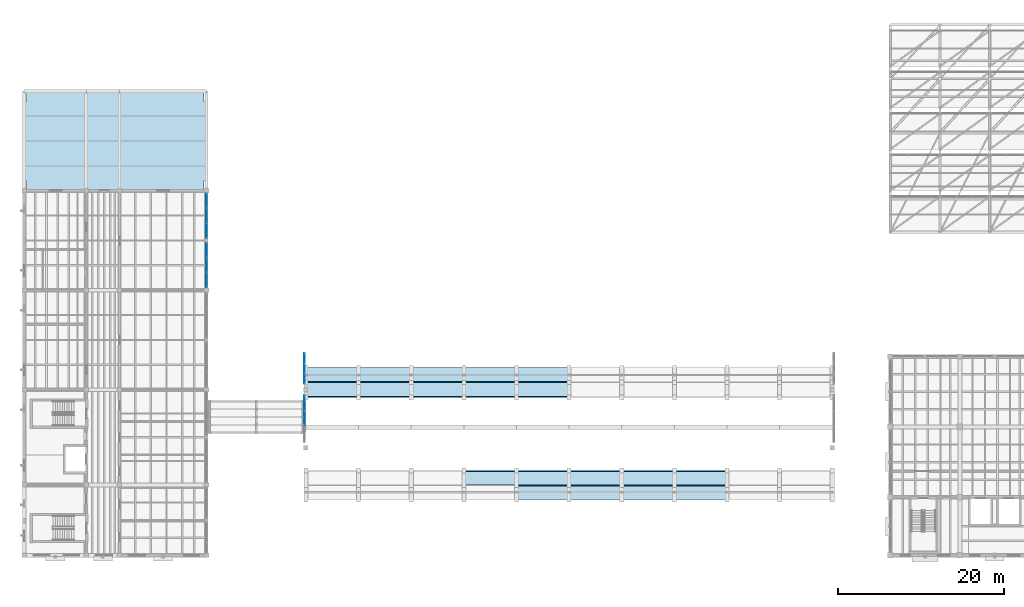
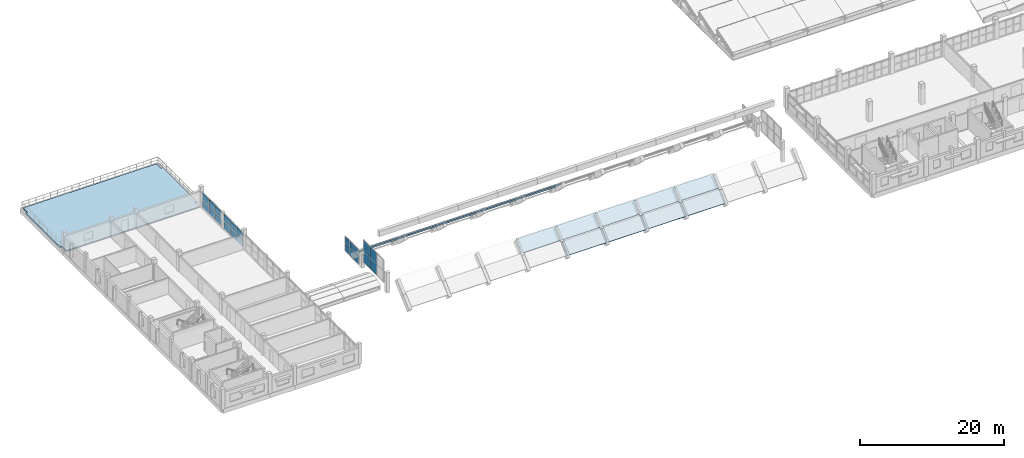
# One storey, part 24 of 48: 22 plates, 20 slabs, 4 elements without a shape of their own.
"""IFC4 building model written with IfcOpenShell, lengths in metres."""

from ifc_helpers import new_model, si_unit, direction, frame, origin, origin_2d, place, context, subcontext, project, spatial, polyline, rectangle, outline, extrude, material, layer, layer_set, type_object, element, aggregate, save


model = new_model("IFC4")

# Units and contexts
model_context = context("Model", 3, precision=1e-05, world=origin(), true_north=direction((0.0, 1.0)))
body_context = subcontext(model_context, "Body", "Model", "MODEL_VIEW")
ifc_project = project(units=[si_unit("LENGTHUNIT", "METRE"), si_unit("AREAUNIT", "SQUARE_METRE"), si_unit("VOLUMEUNIT", "CUBIC_METRE"), si_unit("PLANEANGLEUNIT", "RADIAN"), si_unit("MASSUNIT", "GRAM", prefix="KILO")], contexts=[model_context])

# Site, building, storey
site_placement = place(None, origin())
site = spatial("IfcSite", under=ifc_project, at=site_placement, CompositionType="ELEMENT")
building_placement = place(site_placement, origin())
building = spatial("IfcBuilding", under=site, at=building_placement, Name="Trellovar Central Fire Station", CompositionType="ELEMENT")
storey_placement = place(building_placement, frame((0.0, 0.0, 9.300048828125)))
storey = spatial("IfcBuildingStorey", under=building, at=storey_placement, Name="L03", CompositionType="ELEMENT", Elevation=9.300048828125)

# Curtain wall, plate
ifc_material_1 = material(Name="Thermally broken bronze anodized aluminum", Category="aluminium")
ifc_layer_1 = layer(ifc_material_1, 0.159912109375)
ifc_layer_set_1 = layer_set([ifc_layer_1], Name="Thermally broken bronze anodized aluminum")
curtain_wall_type_1 = type_object("IfcCurtainWallType", Name="CW-08", PredefinedType="NOTDEFINED", material=ifc_layer_set_1)
curtain_wall_1_placement = place(storey_placement, origin())
curtain_wall_1 = element("IfcCurtainWall", 1, at=curtain_wall_1_placement, inside=storey, type_object=curtain_wall_type_1, Name="V1 W ski-jump gable clerestory 3", PredefinedType="NOTDEFINED")
ifc_material_2 = material(Name="Double low-E solar control insulated glazing", Category="glass")
ifc_layer_2 = layer(ifc_material_2, 0.031982421875)
ifc_layer_set_2 = layer_set([ifc_layer_2], Name="Double low-E solar control insulated glazing")
plate_type_1 = type_object("IfcPlateType", Name="CWP-GL1", PredefinedType="CURTAIN_PANEL", material=ifc_layer_set_2)
plate_1_placement = place(storey_placement, frame((34.820068359375, 32.783203125, 1.4150390625), z_axis=(0.0, 0.0, 1.0), x_axis=(0.0, 1.0, 0.0)))
plate_1 = element("IfcPlate", 2, at=plate_1_placement, type_object=plate_type_1, Name="CW3-L03-0013 panel 3-2", PredefinedType="CURTAIN_PANEL", context=body_context, shape_type="SweptSolid", body=[
    extrude(rectangle(XDim=1.1533203125, YDim=0.031982421875, at=origin_2d()), origin(), (0.0, 0.0, 1.0), 1.195068359375),
])

ifc_material_3 = material(Name="Thermally broken bronze anodized aluminum", Category="aluminium")
ifc_layer_3 = layer(ifc_material_3, 0.159912109375)
ifc_layer_set_3 = layer_set([ifc_layer_3], Name="Thermally broken bronze anodized aluminum")
curtain_wall_type_2 = type_object("IfcCurtainWallType", Name="CW-02", PredefinedType="NOTDEFINED", material=ifc_layer_set_3)
curtain_wall_2_placement = place(storey_placement, origin())
curtain_wall_2 = element("IfcCurtainWall", 3, at=curtain_wall_2_placement, inside=storey, type_object=curtain_wall_type_2, Name="L03 curtain wall CW-2", PredefinedType="NOTDEFINED")
plate_2_placement = place(storey_placement, frame((23.0, 42.220947265625, 1.31494140625), z_axis=(0.0, 0.0, 1.0), x_axis=(0.0, 1.0, 0.0)))
plate_2 = element("IfcPlate", 4, at=plate_2_placement, type_object=plate_type_1, Name="CW3-L03-0051 panel 1-2", PredefinedType="CURTAIN_PANEL", context=body_context, shape_type="SweptSolid", body=[
    extrude(rectangle(XDim=1.711669921875, YDim=0.031982421875, at=origin_2d()), origin(), (0.0, 0.0, 1.0), 1.195068359375),
])

ifc_material_4 = material(Name="Thermally broken bronze anodized aluminum", Category="aluminium")
ifc_layer_4 = layer(ifc_material_4, 0.159912109375)
ifc_layer_set_4 = layer_set([ifc_layer_4], Name="Thermally broken bronze anodized aluminum")
curtain_wall_type_3 = type_object("IfcCurtainWallType", Name="CW-04", PredefinedType="NOTDEFINED", material=ifc_layer_set_4)
curtain_wall_3_placement = place(storey_placement, origin())
curtain_wall_3 = element("IfcCurtainWall", 5, at=curtain_wall_3_placement, inside=storey, type_object=curtain_wall_type_3, Name="V1 W ski-jump gable clerestory 2", PredefinedType="NOTDEFINED")
ifc_material_5 = material(Name="Double low-E solar control insulated glazing", Category="glass")
ifc_layer_5 = layer(ifc_material_5, 0.035888671875)
ifc_layer_set_5 = layer_set([ifc_layer_5], Name="Double low-E solar control insulated glazing")
plate_type_2 = type_object("IfcPlateType", Name="CWP-GL2", PredefinedType="CURTAIN_PANEL", material=ifc_layer_set_5)
plate_3_placement = place(storey_placement, frame((34.820068359375, 25.5, 1.33984375), z_axis=(0.0, 0.0, 1.0), x_axis=(0.0, 1.0, 0.0)))
plate_3 = element("IfcPlate", 6, at=plate_3_placement, type_object=plate_type_2, Name="CW3-L03-0012 panel 2-1", PredefinedType="CURTAIN_PANEL", context=body_context, shape_type="SweptSolid", body=[
    extrude(rectangle(XDim=1.78662109375, YDim=0.035888671875, at=origin_2d()), origin(), (0.0, 0.0, 1.0), 1.820068359375),
])

# Plate
plate_4_placement = place(storey_placement, frame((34.820068359375, 30.316650390625, 0.14013671875), z_axis=(0.0, 0.0, 1.0), x_axis=(0.0, 1.0, 0.0)))
plate_4 = element("IfcPlate", 7, at=plate_4_placement, type_object=plate_type_2, Name="CW3-L03-0013 panel 1-1", PredefinedType="CURTAIN_PANEL", context=body_context, shape_type="SweptSolid", body=[
    extrude(rectangle(XDim=1.1533203125, YDim=0.035888671875, at=origin_2d()), origin(), (0.0, 0.0, 1.0), 1.195068359375),
])

plate_5_placement = place(storey_placement, frame((23.0, 44.012451171875, 1.31494140625), z_axis=(0.0, 0.0, 1.0), x_axis=(0.0, 1.0, 0.0)))
plate_5 = element("IfcPlate", 8, at=plate_5_placement, type_object=plate_type_2, Name="CW3-L03-0051 panel 2-2", PredefinedType="CURTAIN_PANEL", context=body_context, shape_type="SweptSolid", body=[
    extrude(rectangle(XDim=1.711669921875, YDim=0.035888671875, at=origin_2d()), origin(), (0.0, 0.0, 1.0), 1.195068359375),
])

# Curtain wall, plate
curtain_wall_4_placement = place(storey_placement, origin())
curtain_wall_4 = element("IfcCurtainWall", 9, at=curtain_wall_4_placement, inside=storey, type_object=curtain_wall_type_2, Name="L03 curtain wall CW-2", PredefinedType="NOTDEFINED")
plate_6_placement = place(storey_placement, frame((23.0, 48.19580078125, 1.31494140625), z_axis=(0.0, 0.0, 1.0), x_axis=(0.0, 1.0, 0.0)))
plate_6 = element("IfcPlate", 10, at=plate_6_placement, type_object=plate_type_2, Name="CW3-L03-0052 panel 1-2", PredefinedType="CURTAIN_PANEL", context=body_context, shape_type="SweptSolid", body=[
    extrude(rectangle(XDim=1.711669921875, YDim=0.035888671875, at=origin_2d()), origin(), (0.0, 0.0, 1.0), 1.195068359375),
])

# Plate
ifc_material_6 = material(Name="Double low-E solar control insulated glazing", Category="glass")
ifc_layer_6 = layer(ifc_material_6, 0.033935546875)
ifc_layer_set_6 = layer_set([ifc_layer_6], Name="Double low-E solar control insulated glazing")
plate_type_3 = type_object("IfcPlateType", Name="CWP-GL3", PredefinedType="CURTAIN_PANEL", material=ifc_layer_set_6)
plate_7_placement = place(storey_placement, frame((34.820068359375, 25.5, 3.23974609375), z_axis=(0.0, 0.0, 1.0), x_axis=(0.0, 1.0, 0.0)))
plate_7 = element("IfcPlate", 11, at=plate_7_placement, type_object=plate_type_3, Name="CW3-L03-0012 panel 2-2", PredefinedType="CURTAIN_PANEL", context=body_context, shape_type="SweptSolid", body=[
    extrude(rectangle(XDim=1.78662109375, YDim=0.033935546875, at=origin_2d()), origin(), (0.0, 0.0, 1.0), 1.820068359375),
])

plate_8_placement = place(storey_placement, frame((34.820068359375, 27.36669921875, 1.33984375), z_axis=(0.0, 0.0, 1.0), x_axis=(0.0, 1.0, 0.0)))
plate_8 = element("IfcPlate", 12, at=plate_8_placement, type_object=plate_type_3, Name="CW3-L03-0012 panel 3-1", PredefinedType="CURTAIN_PANEL", context=body_context, shape_type="SweptSolid", body=[
    extrude(rectangle(XDim=1.78662109375, YDim=0.033935546875, at=origin_2d()), origin(), (0.0, 0.0, 1.0), 1.820068359375),
])

plate_9_placement = place(storey_placement, frame((34.820068359375, 30.316650390625, 1.4150390625), z_axis=(0.0, 0.0, 1.0), x_axis=(0.0, 1.0, 0.0)))
plate_9 = element("IfcPlate", 13, at=plate_9_placement, type_object=plate_type_3, Name="CW3-L03-0013 panel 1-2", PredefinedType="CURTAIN_PANEL", context=body_context, shape_type="SweptSolid", body=[
    extrude(rectangle(XDim=1.1533203125, YDim=0.033935546875, at=origin_2d()), origin(), (0.0, 0.0, 1.0), 1.195068359375),
])

plate_10_placement = place(storey_placement, frame((34.820068359375, 31.550048828125, 0.14013671875), z_axis=(0.0, 0.0, 1.0), x_axis=(0.0, 1.0, 0.0)))
plate_10 = element("IfcPlate", 14, at=plate_10_placement, type_object=plate_type_3, Name="CW3-L03-0013 panel 2-1", PredefinedType="CURTAIN_PANEL", context=body_context, shape_type="SweptSolid", body=[
    extrude(rectangle(XDim=1.1533203125, YDim=0.033935546875, at=origin_2d()), origin(), (0.0, 0.0, 1.0), 1.195068359375),
])

plate_11_placement = place(storey_placement, frame((23.0, 45.80419921875, 1.31494140625), z_axis=(0.0, 0.0, 1.0), x_axis=(0.0, 1.0, 0.0)))
plate_11 = element("IfcPlate", 15, at=plate_11_placement, type_object=plate_type_3, Name="CW3-L03-0051 panel 3-2", PredefinedType="CURTAIN_PANEL", context=body_context, shape_type="SweptSolid", body=[
    extrude(rectangle(XDim=1.711669921875, YDim=0.033935546875, at=origin_2d()), origin(), (0.0, 0.0, 1.0), 1.195068359375),
])

plate_12_placement = place(storey_placement, frame((23.0, 49.987548828125, 1.31494140625), z_axis=(0.0, 0.0, 1.0), x_axis=(0.0, 1.0, 0.0)))
plate_12 = element("IfcPlate", 16, at=plate_12_placement, type_object=plate_type_3, Name="CW3-L03-0052 panel 2-2", PredefinedType="CURTAIN_PANEL", context=body_context, shape_type="SweptSolid", body=[
    extrude(rectangle(XDim=1.711669921875, YDim=0.033935546875, at=origin_2d()), origin(), (0.0, 0.0, 1.0), 1.195068359375),
])

ifc_material_7 = material(Name="Double low-E solar control insulated glazing", Category="glass")
ifc_layer_7 = layer(ifc_material_7, 0.030029296875)
ifc_layer_set_7 = layer_set([ifc_layer_7], Name="Double low-E solar control insulated glazing")
plate_type_4 = type_object("IfcPlateType", Name="CWP-GL4", PredefinedType="CURTAIN_PANEL", material=ifc_layer_set_7)
plate_13_placement = place(storey_placement, frame((34.820068359375, 27.36669921875, 3.23974609375), z_axis=(0.0, 0.0, 1.0), x_axis=(0.0, 1.0, 0.0)))
plate_13 = element("IfcPlate", 17, at=plate_13_placement, type_object=plate_type_4, Name="CW3-L03-0012 panel 3-2", PredefinedType="CURTAIN_PANEL", context=body_context, shape_type="SweptSolid", body=[
    extrude(rectangle(XDim=1.78662109375, YDim=0.030029296875, at=origin_2d()), origin(), (0.0, 0.0, 1.0), 1.820068359375),
])

aggregate(curtain_wall_3, [plate_3, plate_7, plate_8, plate_13])

plate_14_placement = place(storey_placement, frame((34.820068359375, 31.550048828125, 1.4150390625), z_axis=(0.0, 0.0, 1.0), x_axis=(0.0, 1.0, 0.0)))
plate_14 = element("IfcPlate", 18, at=plate_14_placement, type_object=plate_type_4, Name="CW3-L03-0013 panel 2-2", PredefinedType="CURTAIN_PANEL", context=body_context, shape_type="SweptSolid", body=[
    extrude(rectangle(XDim=1.1533203125, YDim=0.030029296875, at=origin_2d()), origin(), (0.0, 0.0, 1.0), 1.195068359375),
])

plate_15_placement = place(storey_placement, frame((34.820068359375, 32.783203125, 0.14013671875), z_axis=(0.0, 0.0, 1.0), x_axis=(0.0, 1.0, 0.0)))
plate_15 = element("IfcPlate", 19, at=plate_15_placement, type_object=plate_type_4, Name="CW3-L03-0013 panel 3-1", PredefinedType="CURTAIN_PANEL", context=body_context, shape_type="SweptSolid", body=[
    extrude(rectangle(XDim=1.1533203125, YDim=0.030029296875, at=origin_2d()), origin(), (0.0, 0.0, 1.0), 1.195068359375),
])

aggregate(curtain_wall_1, [plate_4, plate_9, plate_10, plate_14, plate_15, plate_1])

plate_16_placement = place(storey_placement, frame((23.0, 51.779052734375, 1.31494140625), z_axis=(0.0, 0.0, 1.0), x_axis=(0.0, 1.0, 0.0)))
plate_16 = element("IfcPlate", 20, at=plate_16_placement, type_object=plate_type_4, Name="CW3-L03-0052 panel 3-2", PredefinedType="CURTAIN_PANEL", context=body_context, shape_type="SweptSolid", body=[
    extrude(rectangle(XDim=1.711669921875, YDim=0.030029296875, at=origin_2d()), origin(), (0.0, 0.0, 1.0), 1.195068359375),
])

ifc_material_8 = material(Name="Glazed ceramic trencadis and terracotta panel", Category="masonry")
ifc_layer_8 = layer(ifc_material_8, 0.048095703125)
ifc_layer_set_8 = layer_set([ifc_layer_8], Name="Glazed ceramic trencadis and terracotta panel")
plate_type_5 = type_object("IfcPlateType", Name="CWP-SP1", PredefinedType="CURTAIN_PANEL", material=ifc_layer_set_8)
plate_17_placement = place(storey_placement, frame((23.0, 44.012451171875, 0.0400390625), z_axis=(0.0, 0.0, 1.0), x_axis=(0.0, 1.0, 0.0)))
plate_17 = element("IfcPlate", 21, at=plate_17_placement, type_object=plate_type_5, Name="CW3-L03-0051 panel 2-1", PredefinedType="CURTAIN_PANEL", context=body_context, shape_type="SweptSolid", body=[
    extrude(rectangle(XDim=1.711669921875, YDim=0.048095703125, at=origin_2d()), origin(), (0.0, 0.0, 1.0), 1.195068359375),
])

plate_18_placement = place(storey_placement, frame((23.0, 48.19580078125, 0.0400390625), z_axis=(0.0, 0.0, 1.0), x_axis=(0.0, 1.0, 0.0)))
plate_18 = element("IfcPlate", 22, at=plate_18_placement, type_object=plate_type_5, Name="CW3-L03-0052 panel 1-1", PredefinedType="CURTAIN_PANEL", context=body_context, shape_type="SweptSolid", body=[
    extrude(rectangle(XDim=1.711669921875, YDim=0.048095703125, at=origin_2d()), origin(), (0.0, 0.0, 1.0), 1.195068359375),
])

plate_19_placement = place(storey_placement, frame((23.0, 51.779052734375, 0.0400390625), z_axis=(0.0, 0.0, 1.0), x_axis=(0.0, 1.0, 0.0)))
plate_19 = element("IfcPlate", 23, at=plate_19_placement, type_object=plate_type_5, Name="CW3-L03-0052 panel 3-1", PredefinedType="CURTAIN_PANEL", context=body_context, shape_type="SweptSolid", body=[
    extrude(rectangle(XDim=1.711669921875, YDim=0.048095703125, at=origin_2d()), origin(), (0.0, 0.0, 1.0), 1.195068359375),
])

ifc_material_9 = material(Name="Glazed ceramic trencadis and terracotta panel", Category="masonry")
ifc_layer_9 = layer(ifc_material_9, 0.044921875)
ifc_layer_set_9 = layer_set([ifc_layer_9], Name="Glazed ceramic trencadis and terracotta panel")
plate_type_6 = type_object("IfcPlateType", Name="CWP-SP2", PredefinedType="CURTAIN_PANEL", material=ifc_layer_set_9)
plate_20_placement = place(storey_placement, frame((23.0, 42.220947265625, 0.0400390625), z_axis=(0.0, 0.0, 1.0), x_axis=(0.0, 1.0, 0.0)))
plate_20 = element("IfcPlate", 24, at=plate_20_placement, type_object=plate_type_6, Name="CW3-L03-0051 panel 1-1", PredefinedType="CURTAIN_PANEL", context=body_context, shape_type="SweptSolid", body=[
    extrude(rectangle(XDim=1.711669921875, YDim=0.044921875, at=origin_2d()), origin(), (0.0, 0.0, 1.0), 1.195068359375),
])

plate_21_placement = place(storey_placement, frame((23.0, 45.80419921875, 0.0400390625), z_axis=(0.0, 0.0, 1.0), x_axis=(0.0, 1.0, 0.0)))
plate_21 = element("IfcPlate", 25, at=plate_21_placement, type_object=plate_type_6, Name="CW3-L03-0051 panel 3-1", PredefinedType="CURTAIN_PANEL", context=body_context, shape_type="SweptSolid", body=[
    extrude(rectangle(XDim=1.711669921875, YDim=0.044921875, at=origin_2d()), origin(), (0.0, 0.0, 1.0), 1.195068359375),
])

aggregate(curtain_wall_2, [plate_20, plate_2, plate_17, plate_5, plate_21, plate_11])

plate_22_placement = place(storey_placement, frame((23.0, 49.987548828125, 0.0400390625), z_axis=(0.0, 0.0, 1.0), x_axis=(0.0, 1.0, 0.0)))
plate_22 = element("IfcPlate", 26, at=plate_22_placement, type_object=plate_type_6, Name="CW3-L03-0052 panel 2-1", PredefinedType="CURTAIN_PANEL", context=body_context, shape_type="SweptSolid", body=[
    extrude(rectangle(XDim=1.711669921875, YDim=0.044921875, at=origin_2d()), origin(), (0.0, 0.0, 1.0), 1.195068359375),
])

aggregate(curtain_wall_4, [plate_18, plate_6, plate_22, plate_12, plate_19, plate_16])

# Slabs
ifc_material_10 = material(Name="Concrete C40/50", Category="concrete")
ifc_layer_10 = layer(ifc_material_10, 0.22998046875)
ifc_layer_set_10 = layer_set([ifc_layer_10], Name="Concrete C40/50")
slab_type_1 = type_object("IfcSlabType", Name="SLB-TER230", PredefinedType="FLOOR", material=ifc_layer_set_10)
slab_1_placement = place(storey_placement, frame((0.0, 0.0, -0.22998046875)))
element("IfcSlab", 27, at=slab_1_placement, inside=storey, type_object=slab_type_1, Name="V4 L03 walkable outdoor terrace slab", PredefinedType="FLOOR", context=body_context, shape_type="SweptSolid", body=[
    extrude(outline(polyline([(1.300048828125, 53.0), (22.699951171875, 53.0), (22.699951171875, 54.25), (23.0, 54.25), (23.0, 63.75), (22.699951171875, 63.75), (22.699951171875, 65.0), (1.300048828125, 65.0), (1.300048828125, 63.75), (1.0, 63.75), (1.0, 54.25), (1.300048828125, 54.25), (1.300048828125, 53.0)])), origin(), (0.0, 0.0, 1.0), 0.22998046875),
])
ifc_material_11 = material(Name="Concrete C40/50", Category="concrete")
ifc_layer_11 = layer(ifc_material_11, 0.179931640625)
ifc_layer_set_11 = layer_set([ifc_layer_11], Name="Concrete C40/50")
slab_type_2 = type_object("IfcSlabType", Name="SLB-VLT180", PredefinedType="ROOF", material=ifc_layer_set_11)
slab_2_placement = place(storey_placement, frame((35.0, 28.194091796875, 3.78369140625), z_axis=(0.0, 0.696336602897, 0.717715358249), x_axis=(1.0, 0.0, 0.0)))
element("IfcSlab", 28, at=slab_2_placement, inside=storey, type_object=slab_type_2, Name="Catalan ski-jump vault strip V1-01-09", PredefinedType="ROOF", context=body_context, shape_type="SweptSolid", body=[
    extrude(outline(polyline([(0.0, 0.0), (6.35009765625, 0.0), (6.35009765625, 2.31821479121556), (0.0, 2.31821479121556), (0.0, 0.0)])), origin(), (0.0, 0.0, -1.0), 0.179931640625),
])
slab_3_placement = place(storey_placement, frame((35.0, 29.97412109375, 2.07666015625), z_axis=(0.0, 0.622818367215, 0.782366462382), x_axis=(1.0, 0.0, 0.0)))
element("IfcSlab", 29, at=slab_3_placement, inside=storey, type_object=slab_type_2, Name="Catalan ski-jump vault strip V1-01-10", PredefinedType="ROOF", context=body_context, shape_type="SweptSolid", body=[
    extrude(outline(polyline([(0.0, 0.0), (6.35009765625, 0.0), (6.35009765625, 2.143811339565686), (0.0, 2.143811339565686), (0.0, 0.0)])), origin(), (0.0, 0.0, -1.0), 0.179931640625),
])
slab_4_placement = place(storey_placement, frame((41.35009765625, 28.194091796875, 3.78369140625), z_axis=(0.0, 0.696336602897, 0.717715358249), x_axis=(1.0, 0.0, 0.0)))
element("IfcSlab", 30, at=slab_4_placement, inside=storey, type_object=slab_type_2, Name="Catalan ski-jump vault strip V1-02-09", PredefinedType="ROOF", context=body_context, shape_type="SweptSolid", body=[
    extrude(outline(polyline([(0.0, 0.0), (6.349853515625, 0.0), (6.349853515625, 2.31821479121556), (0.0, 2.31821479121556), (0.0, 0.0)])), origin(), (0.0, 0.0, -1.0), 0.179931640625),
])
slab_5_placement = place(storey_placement, frame((41.35009765625, 29.97412109375, 2.07666015625), z_axis=(0.0, 0.622818367215, 0.782366462382), x_axis=(1.0, 0.0, 0.0)))
element("IfcSlab", 31, at=slab_5_placement, inside=storey, type_object=slab_type_2, Name="Catalan ski-jump vault strip V1-02-10", PredefinedType="ROOF", context=body_context, shape_type="SweptSolid", body=[
    extrude(outline(polyline([(0.0, 0.0), (6.349853515625, 0.0), (6.349853515625, 2.143811339565686), (0.0, 2.143811339565686), (0.0, 0.0)])), origin(), (0.0, 0.0, -1.0), 0.179931640625),
])
slab_6_placement = place(storey_placement, frame((47.699951171875, 28.194091796875, 3.78369140625), z_axis=(0.0, 0.696336602897, 0.717715358249), x_axis=(1.0, 0.0, 0.0)))
element("IfcSlab", 32, at=slab_6_placement, inside=storey, type_object=slab_type_2, Name="Catalan ski-jump vault strip V1-03-09", PredefinedType="ROOF", context=body_context, shape_type="SweptSolid", body=[
    extrude(outline(polyline([(0.0, 0.0), (6.35009765625, 0.0), (6.35009765625, 2.31821479121556), (0.0, 2.31821479121556), (0.0, 0.0)])), origin(), (0.0, 0.0, -1.0), 0.179931640625),
])
slab_7_placement = place(storey_placement, frame((47.699951171875, 29.97412109375, 2.07666015625), z_axis=(0.0, 0.622818367215, 0.782366462382), x_axis=(1.0, 0.0, 0.0)))
element("IfcSlab", 33, at=slab_7_placement, inside=storey, type_object=slab_type_2, Name="Catalan ski-jump vault strip V1-03-10", PredefinedType="ROOF", context=body_context, shape_type="SweptSolid", body=[
    extrude(outline(polyline([(0.0, 0.0), (6.35009765625, 0.0), (6.35009765625, 2.143811339565686), (0.0, 2.143811339565686), (0.0, 0.0)])), origin(), (0.0, 0.0, -1.0), 0.179931640625),
])
slab_8_placement = place(storey_placement, frame((54.050048828125, 17.495361328125, 2.635009765625), z_axis=(0.0, -0.667701315225, 0.744429280487), x_axis=(1.0, 0.0, 0.0)))
element("IfcSlab", 34, at=slab_8_placement, inside=storey, type_object=slab_type_2, Name="Catalan ski-jump vault strip V1-04-03", PredefinedType="ROOF", context=body_context, shape_type="SweptSolid", body=[
    extrude(outline(polyline([(0.0, 0.0), (6.349853515625, 0.0), (6.349853515625, 2.1796007173278), (0.0, 2.1796007173278), (0.0, 0.0)])), origin(), (0.0, 0.0, -1.0), 0.179931640625),
])
slab_9_placement = place(storey_placement, frame((54.050048828125, 28.194091796875, 3.78369140625), z_axis=(0.0, 0.696336602897, 0.717715358249), x_axis=(1.0, 0.0, 0.0)))
element("IfcSlab", 35, at=slab_9_placement, inside=storey, type_object=slab_type_2, Name="Catalan ski-jump vault strip V1-04-09", PredefinedType="ROOF", context=body_context, shape_type="SweptSolid", body=[
    extrude(outline(polyline([(0.0, 0.0), (6.349853515625, 0.0), (6.349853515625, 2.31821479121556), (0.0, 2.31821479121556), (0.0, 0.0)])), origin(), (0.0, 0.0, -1.0), 0.179931640625),
])
slab_10_placement = place(storey_placement, frame((54.050048828125, 29.97412109375, 2.07666015625), z_axis=(0.0, 0.622818367215, 0.782366462382), x_axis=(1.0, 0.0, 0.0)))
element("IfcSlab", 36, at=slab_10_placement, inside=storey, type_object=slab_type_2, Name="Catalan ski-jump vault strip V1-04-10", PredefinedType="ROOF", context=body_context, shape_type="SweptSolid", body=[
    extrude(outline(polyline([(0.0, 0.0), (6.349853515625, 0.0), (6.349853515625, 2.143811339565686), (0.0, 2.143811339565686), (0.0, 0.0)])), origin(), (0.0, 0.0, -1.0), 0.179931640625),
])
slab_11_placement = place(storey_placement, frame((60.39990234375, 15.748779296875, 1.068359375), z_axis=(0.0, -0.667756994098, 0.744379336651), x_axis=(1.0, 0.0, 0.0)))
element("IfcSlab", 37, at=slab_11_placement, inside=storey, type_object=slab_type_2, Name="Catalan ski-jump vault strip V1-05-02", PredefinedType="ROOF", context=body_context, shape_type="SweptSolid", body=[
    extrude(outline(polyline([(0.0, 0.0), (6.35009765625, 0.0), (6.35009765625, 2.179418977994399), (0.0, 2.179418977994399), (0.0, 0.0)])), origin(), (0.0, 0.0, -1.0), 0.179931640625),
])
slab_12_placement = place(storey_placement, frame((60.39990234375, 17.495361328125, 2.635009765625), z_axis=(0.0, -0.667701315225, 0.744429280487), x_axis=(1.0, 0.0, 0.0)))
element("IfcSlab", 38, at=slab_12_placement, inside=storey, type_object=slab_type_2, Name="Catalan ski-jump vault strip V1-05-03", PredefinedType="ROOF", context=body_context, shape_type="SweptSolid", body=[
    extrude(outline(polyline([(0.0, 0.0), (6.35009765625, 0.0), (6.35009765625, 2.1796007173278), (0.0, 2.1796007173278), (0.0, 0.0)])), origin(), (0.0, 0.0, -1.0), 0.179931640625),
])
slab_13_placement = place(storey_placement, frame((60.39990234375, 28.194091796875, 3.78369140625), z_axis=(0.0, 0.696336602897, 0.717715358249), x_axis=(1.0, 0.0, 0.0)))
element("IfcSlab", 39, at=slab_13_placement, inside=storey, type_object=slab_type_2, Name="Catalan ski-jump vault strip V1-05-09", PredefinedType="ROOF", context=body_context, shape_type="SweptSolid", body=[
    extrude(outline(polyline([(0.0, 0.0), (6.35009765625, 0.0), (6.35009765625, 2.31821479121556), (0.0, 2.31821479121556), (0.0, 0.0)])), origin(), (0.0, 0.0, -1.0), 0.179931640625),
])
slab_14_placement = place(storey_placement, frame((60.39990234375, 29.97412109375, 2.07666015625), z_axis=(0.0, 0.622818367215, 0.782366462382), x_axis=(1.0, 0.0, 0.0)))
element("IfcSlab", 40, at=slab_14_placement, inside=storey, type_object=slab_type_2, Name="Catalan ski-jump vault strip V1-05-10", PredefinedType="ROOF", context=body_context, shape_type="SweptSolid", body=[
    extrude(outline(polyline([(0.0, 0.0), (6.35009765625, 0.0), (6.35009765625, 2.143811339565686), (0.0, 2.143811339565686), (0.0, 0.0)])), origin(), (0.0, 0.0, -1.0), 0.179931640625),
])
slab_15_placement = place(storey_placement, frame((66.75, 15.748779296875, 1.068359375), z_axis=(0.0, -0.667756994098, 0.744379336651), x_axis=(1.0, 0.0, 0.0)))
element("IfcSlab", 41, at=slab_15_placement, inside=storey, type_object=slab_type_2, Name="Catalan ski-jump vault strip V1-06-02", PredefinedType="ROOF", context=body_context, shape_type="SweptSolid", body=[
    extrude(outline(polyline([(0.0, 0.0), (6.35009765625, 0.0), (6.35009765625, 2.179418977994399), (0.0, 2.179418977994399), (0.0, 0.0)])), origin(), (0.0, 0.0, -1.0), 0.179931640625),
])
slab_16_placement = place(storey_placement, frame((66.75, 17.495361328125, 2.635009765625), z_axis=(0.0, -0.667701315225, 0.744429280487), x_axis=(1.0, 0.0, 0.0)))
element("IfcSlab", 42, at=slab_16_placement, inside=storey, type_object=slab_type_2, Name="Catalan ski-jump vault strip V1-06-03", PredefinedType="ROOF", context=body_context, shape_type="SweptSolid", body=[
    extrude(outline(polyline([(0.0, 0.0), (6.35009765625, 0.0), (6.35009765625, 2.1796007173278), (0.0, 2.1796007173278), (0.0, 0.0)])), origin(), (0.0, 0.0, -1.0), 0.179931640625),
])
slab_17_placement = place(storey_placement, frame((73.10009765625, 15.748779296875, 1.068359375), z_axis=(0.0, -0.667756994098, 0.744379336651), x_axis=(1.0, 0.0, 0.0)))
element("IfcSlab", 43, at=slab_17_placement, inside=storey, type_object=slab_type_2, Name="Catalan ski-jump vault strip V1-07-02", PredefinedType="ROOF", context=body_context, shape_type="SweptSolid", body=[
    extrude(outline(polyline([(0.0, 0.0), (6.349853515625, 0.0), (6.349853515625, 2.1794189779943993), (0.0, 2.1794189779943993), (0.0, 0.0)])), origin(), (0.0, 0.0, -1.0), 0.179931640625),
])
slab_18_placement = place(storey_placement, frame((73.10009765625, 17.495361328125, 2.635009765625), z_axis=(0.0, -0.667701315225, 0.744429280487), x_axis=(1.0, 0.0, 0.0)))
element("IfcSlab", 44, at=slab_18_placement, inside=storey, type_object=slab_type_2, Name="Catalan ski-jump vault strip V1-07-03", PredefinedType="ROOF", context=body_context, shape_type="SweptSolid", body=[
    extrude(outline(polyline([(0.0, 0.0), (6.349853515625, 0.0), (6.349853515625, 2.1796007173278), (0.0, 2.1796007173278), (0.0, 0.0)])), origin(), (0.0, 0.0, -1.0), 0.179931640625),
])
slab_19_placement = place(storey_placement, frame((79.449951171875, 15.748779296875, 1.068359375), z_axis=(0.0, -0.667756994098, 0.744379336651), x_axis=(1.0, 0.0, 0.0)))
element("IfcSlab", 45, at=slab_19_placement, inside=storey, type_object=slab_type_2, Name="Catalan ski-jump vault strip V1-08-02", PredefinedType="ROOF", context=body_context, shape_type="SweptSolid", body=[
    extrude(outline(polyline([(0.0, 0.0), (6.35009765625, 0.0), (6.35009765625, 2.179418977994399), (0.0, 2.179418977994399), (0.0, 0.0)])), origin(), (0.0, 0.0, -1.0), 0.179931640625),
])
slab_20_placement = place(storey_placement, frame((79.449951171875, 17.495361328125, 2.635009765625), z_axis=(0.0, -0.667701315225, 0.744429280487), x_axis=(1.0, 0.0, 0.0)))
element("IfcSlab", 46, at=slab_20_placement, inside=storey, type_object=slab_type_2, Name="Catalan ski-jump vault strip V1-08-03", PredefinedType="ROOF", context=body_context, shape_type="SweptSolid", body=[
    extrude(outline(polyline([(0.0, 0.0), (6.35009765625, 0.0), (6.35009765625, 2.1796007173278), (0.0, 2.1796007173278), (0.0, 0.0)])), origin(), (0.0, 0.0, -1.0), 0.179931640625),
])

save(model, "model.ifc")
